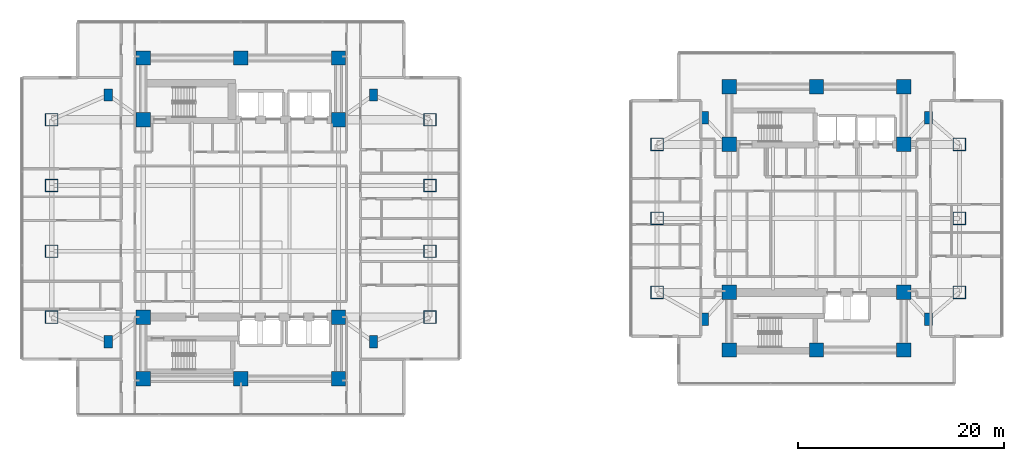
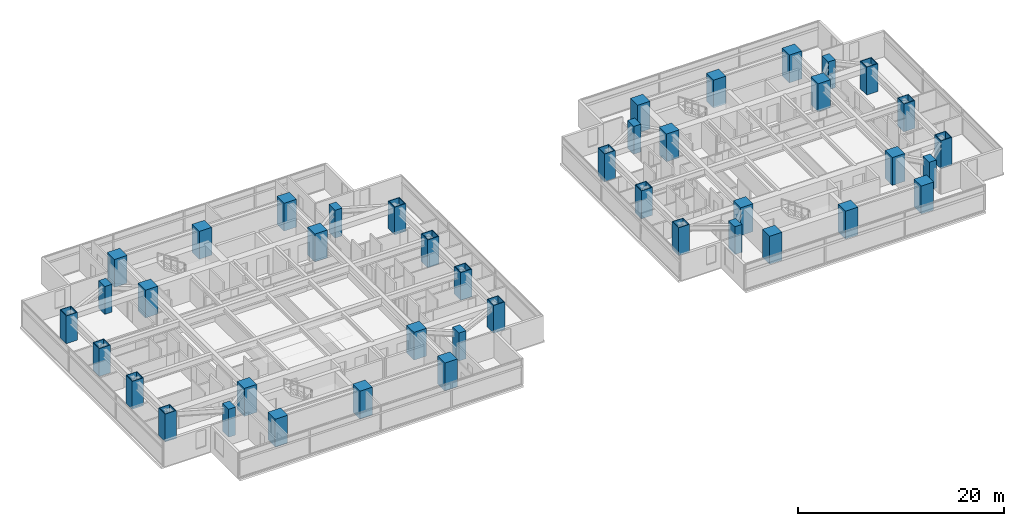
# One storey, part 1 of 26: 42 columns.
"""IFC4 building model written with IfcOpenShell, lengths in metres."""

from ifc_helpers import new_model, si_unit, direction, frame, origin, origin_2d, place, context, subcontext, project, spatial, rectangle, hollow_rectangle, extrude, material, material_profile, profile_set, type_object, element, save


model = new_model("IFC4")

# Units and contexts
model_context = context("Model", 3, precision=1e-05, world=origin(), true_north=direction((0.0, 1.0)))
body_context = subcontext(model_context, "Body", "Model", "MODEL_VIEW")
ifc_project = project(units=[si_unit("LENGTHUNIT", "METRE"), si_unit("AREAUNIT", "SQUARE_METRE"), si_unit("VOLUMEUNIT", "CUBIC_METRE"), si_unit("PLANEANGLEUNIT", "RADIAN"), si_unit("MASSUNIT", "GRAM", prefix="KILO")], contexts=[model_context])

# Site, building, storey
site_placement = place(None, origin())
site = spatial("IfcSite", under=ifc_project, at=site_placement, CompositionType="ELEMENT")
building_placement = place(site_placement, origin())
building = spatial("IfcBuilding", under=site, at=building_placement, Name="Mirazonda Arch Towers", CompositionType="ELEMENT")
storey_placement = place(building_placement, frame((0.0, 0.0, 25.699951171875)))
storey = spatial("IfcBuildingStorey", under=building, at=storey_placement, Name="L06", CompositionType="ELEMENT", Elevation=25.699951171875)

# Columns
ifc_material_1 = material(Name="Concrete C60/75", Category="concrete")
ifc_material_profile_1 = material_profile(ifc_material_1, rectangle(XDim=1.39990234375, YDim=1.39990234375, at=origin_2d()), Name="RC1400x1400")
ifc_profile_set_1 = profile_set([ifc_material_profile_1], Name="Concrete C60/75")
column_type_1 = type_object("IfcColumnType", Name="COL-INT-RC1400x1400", PredefinedType="COLUMN", material=ifc_profile_set_1)
for number, where, z_axis, x_axis, name in (
    (1, (11.0, 12.39990234375, 0.0), (0.0, 0.0, 1.0), (1.0, 0.0, 0.0), "L06 T1 Core Column 01"),
    (2, (20.5, 12.39990234375, 0.0), (0.0, 0.0, 1.0), (1.0, 0.0, 0.0), "L06 T1 Core Column 02"),
    (3, (30.0, 12.39990234375, 0.0), (0.0, 0.0, 1.0), (1.0, 0.0, 0.0), "L06 T1 Core Column 03"),
    (4, (11.0, 18.39990234375, 0.0), (0.0, 0.0, 1.0), (1.0, 0.0, 0.0), "L06 T1 Core Column 04"),
    (5, (30.0, 18.39990234375, 0.0), (0.0, 0.0, 1.0), (1.0, 0.0, 0.0), "L06 T1 Core Column 05"),
    (6, (11.0, 37.60009765625, 0.0), (0.0, 0.0, 1.0), (1.0, 0.0, 0.0), "L06 T1 Core Column 06"),
    (7, (30.0, 37.60009765625, 0.0), (0.0, 0.0, 1.0), (1.0, 0.0, 0.0), "L06 T1 Core Column 07"),
    (8, (11.0, 43.60009765625, 0.0), (0.0, 0.0, 1.0), (1.0, 0.0, 0.0), "L06 T1 Core Column 08"),
    (9, (20.5, 43.60009765625, 0.0), (0.0, 0.0, 1.0), (1.0, 0.0, 0.0), "L06 T1 Core Column 09"),
    (10, (30.0, 43.60009765625, 0.0), (0.0, 0.0, 1.0), (1.0, 0.0, 0.0), "L06 T1 Core Column 10"),
    (11, (68.0, 15.199951171875, 0.0), (0.0, 0.0, 1.0), (1.0, 0.0, 0.0), "L06 T2 Core Column 01"),
    (12, (76.5, 15.199951171875, 0.0), (0.0, 0.0, 1.0), (1.0, 0.0, 0.0), "L06 T2 Core Column 02"),
    (13, (85.0, 15.199951171875, 0.0), (0.0, 0.0, 1.0), (1.0, 0.0, 0.0), "L06 T2 Core Column 03"),
    (14, (68.0, 20.800048828125, 0.0), (0.0, 0.0, 1.0), (1.0, 0.0, 0.0), "L06 T2 Core Column 04"),
    (15, (85.0, 20.800048828125, 0.0), (0.0, 0.0, 1.0), (1.0, 0.0, 0.0), "L06 T2 Core Column 05"),
    (16, (68.0, 35.199951171875, 0.0), (0.0, 0.0, 1.0), (1.0, 0.0, 0.0), "L06 T2 Core Column 06"),
    (17, (85.0, 35.199951171875, 0.0), (0.0, 0.0, 1.0), (1.0, 0.0, 0.0), "L06 T2 Core Column 07"),
    (18, (68.0, 40.800048828125, 0.0), (0.0, 0.0, 1.0), (1.0, 0.0, 0.0), "L06 T2 Core Column 08"),
    (19, (76.5, 40.800048828125, 0.0), (0.0, 0.0, 1.0), (1.0, 0.0, 0.0), "L06 T2 Core Column 09"),
    (20, (85.0, 40.800048828125, 0.0), (0.0, 0.0, 1.0), (1.0, 0.0, 0.0), "L06 T2 Core Column 10"),
):
    element("IfcColumn", number, at=place(storey_placement, frame(where, z_axis=z_axis, x_axis=x_axis)), inside=storey, type_object=column_type_1, Name=name, PredefinedType="COLUMN", context=body_context, shape_type="SweptSolid", body=[
        extrude(rectangle(XDim=1.39990234375, YDim=1.39990234375, at=origin_2d()), origin(), (0.0, 0.0, 1.0), 3.300048828125),
    ])
ifc_material_2 = material(Name="Steel ASTM A572 Grade 50", Category="steel")
ifc_material_profile_2 = material_profile(ifc_material_2, hollow_rectangle(XDim=1.25, YDim=1.25, WallThickness=0.070068359375, at=origin_2d()), Name="BOX1250x1250x70")
ifc_profile_set_2 = profile_set([ifc_material_profile_2], Name="Steel ASTM A572 Grade 50")
column_type_2 = type_object("IfcColumnType", Name="MCOL-EXT-BOX1250x1250x70", PredefinedType="COLUMN", material=ifc_profile_set_2)
for number, where, z_axis, x_axis, name in (
    (21, (2.10009765625, 18.39990234375, 0.0), (0.0, 0.0, 1.0), (1.0, 0.0, 0.0), "L06 T1 Composite Mega-Column 01"),
    (22, (2.10009765625, 24.800048828125, 0.0), (0.0, 0.0, 1.0), (1.0, 0.0, 0.0), "L06 T1 Composite Mega-Column 02"),
    (23, (2.10009765625, 31.199951171875, 0.0), (0.0, 0.0, 1.0), (1.0, 0.0, 0.0), "L06 T1 Composite Mega-Column 03"),
    (24, (2.10009765625, 37.60009765625, 0.0), (0.0, 0.0, 1.0), (1.0, 0.0, 0.0), "L06 T1 Composite Mega-Column 04"),
    (25, (38.89990234375, 18.39990234375, 0.0), (0.0, 0.0, 1.0), (1.0, 0.0, 0.0), "L06 T1 Composite Mega-Column 05"),
    (26, (38.89990234375, 24.800048828125, 0.0), (0.0, 0.0, 1.0), (1.0, 0.0, 0.0), "L06 T1 Composite Mega-Column 06"),
    (27, (38.89990234375, 31.199951171875, 0.0), (0.0, 0.0, 1.0), (1.0, 0.0, 0.0), "L06 T1 Composite Mega-Column 07"),
    (28, (38.89990234375, 37.60009765625, 0.0), (0.0, 0.0, 1.0), (1.0, 0.0, 0.0), "L06 T1 Composite Mega-Column 08"),
    (29, (61.0, 20.800048828125, 0.0), (0.0, 0.0, 1.0), (1.0, 0.0, 0.0), "L06 T2 Composite Mega-Column 01"),
    (30, (61.0, 28.0, 0.0), (0.0, 0.0, 1.0), (1.0, 0.0, 0.0), "L06 T2 Composite Mega-Column 02"),
    (31, (61.0, 35.199951171875, 0.0), (0.0, 0.0, 1.0), (1.0, 0.0, 0.0), "L06 T2 Composite Mega-Column 03"),
    (32, (90.39990234375, 20.800048828125, 0.0), (0.0, 0.0, 1.0), (1.0, 0.0, 0.0), "L06 T2 Composite Mega-Column 04"),
    (33, (90.39990234375, 28.0, 0.0), (0.0, 0.0, 1.0), (1.0, 0.0, 0.0), "L06 T2 Composite Mega-Column 05"),
    (34, (90.39990234375, 35.199951171875, 0.0), (0.0, 0.0, 1.0), (1.0, 0.0, 0.0), "L06 T2 Composite Mega-Column 06"),
):
    element("IfcColumn", number, at=place(storey_placement, frame(where, z_axis=z_axis, x_axis=x_axis)), inside=storey, type_object=column_type_2, Name=name, PredefinedType="COLUMN", context=body_context, shape_type="SweptSolid", body=[
        extrude(hollow_rectangle(XDim=1.25, YDim=1.25, WallThickness=0.070068359375, at=origin_2d()), origin(), (0.0, 0.0, 1.0), 3.300048828125),
    ])
ifc_material_profile_3 = material_profile(ifc_material_1, rectangle(XDim=0.800048828125, YDim=1.199951171875, at=origin_2d()), Name="RC1200x800")
ifc_profile_set_3 = profile_set([ifc_material_profile_3], Name="Concrete C60/75")
column_type_3 = type_object("IfcColumnType", Name="PIL-EXT-RC1200x800", PredefinedType="PILASTER", material=ifc_profile_set_3)
for number, where, z_axis, x_axis, name in (
    (35, (7.60009765625, 16.0, 0.0), (0.0, 0.0, 1.0), (1.0, 0.0, 0.0), "L06 T1 Corner Pilaster 01"),
    (36, (33.39990234375, 16.0, 0.0), (0.0, 0.0, 1.0), (1.0, 0.0, 0.0), "L06 T1 Corner Pilaster 02"),
    (37, (7.60009765625, 40.0, 0.0), (0.0, 0.0, 1.0), (1.0, 0.0, 0.0), "L06 T1 Corner Pilaster 03"),
    (38, (33.39990234375, 40.0, 0.0), (0.0, 0.0, 1.0), (1.0, 0.0, 0.0), "L06 T1 Corner Pilaster 04"),
    (39, (65.60009765625, 18.199951171875, 0.0), (0.0, 0.0, 1.0), (1.0, 0.0, 0.0), "L06 T2 Corner Pilaster 01"),
    (40, (87.39990234375, 18.199951171875, 0.0), (0.0, 0.0, 1.0), (1.0, 0.0, 0.0), "L06 T2 Corner Pilaster 02"),
    (41, (65.60009765625, 37.800048828125, 0.0), (0.0, 0.0, 1.0), (1.0, 0.0, 0.0), "L06 T2 Corner Pilaster 03"),
    (42, (87.39990234375, 37.800048828125, 0.0), (0.0, 0.0, 1.0), (1.0, 0.0, 0.0), "L06 T2 Corner Pilaster 04"),
):
    element("IfcColumn", number, at=place(storey_placement, frame(where, z_axis=z_axis, x_axis=x_axis)), inside=storey, type_object=column_type_3, Name=name, PredefinedType="PILASTER", context=body_context, shape_type="SweptSolid", body=[
        extrude(rectangle(XDim=0.800048828125, YDim=1.199951171875, at=origin_2d()), origin(), (0.0, 0.0, 1.0), 3.300048828125),
    ])

save(model, "model.ifc")
